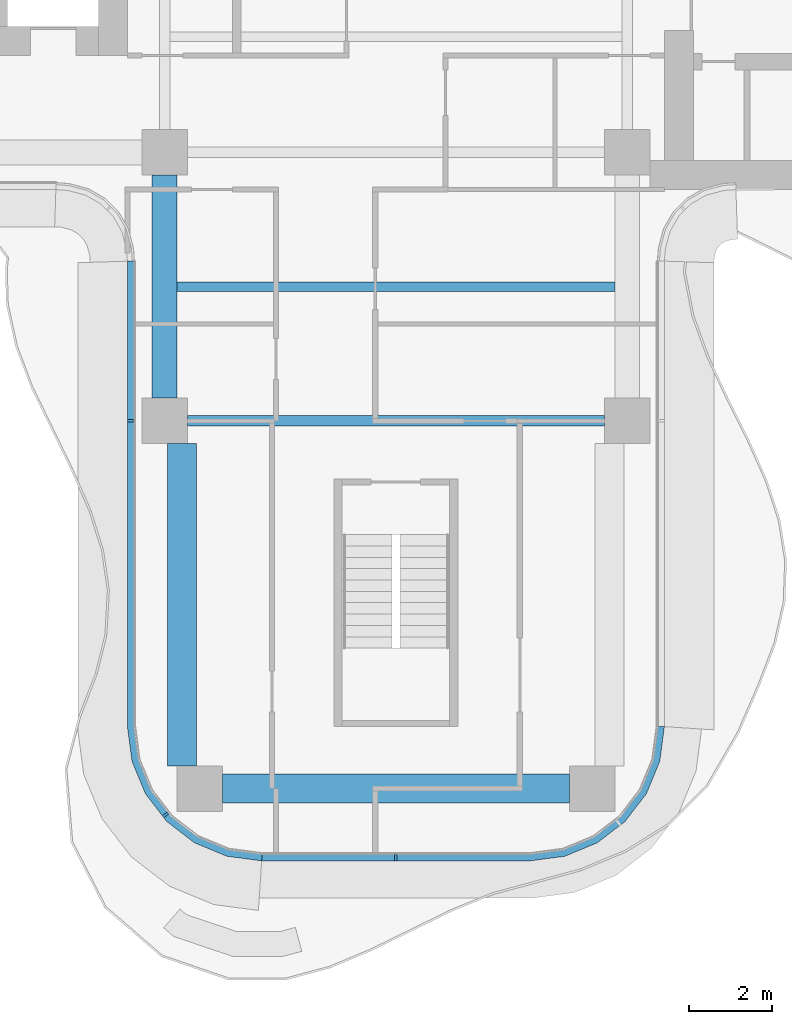
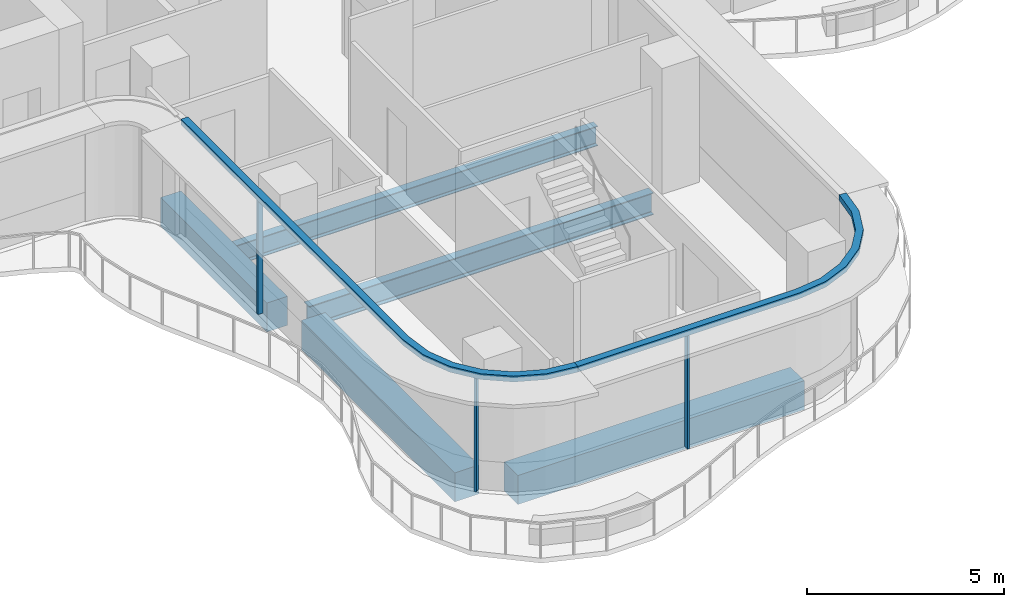
# One storey, part 2 of 16: 5 beams, 5 members, 2 elements without a shape of their own.
"""IFC4 building model written with IfcOpenShell, lengths in metres."""

from ifc_helpers import new_model, si_unit, direction, frame, origin, origin_2d, place, context, subcontext, project, spatial, polyline, rectangle, i_section, outline, extrude, source, transform, mapped, material, layer, layer_set, material_profile, profile_set, type_object, element, aggregate, save


model = new_model("IFC4")

# Units and contexts
model_context = context("Model", 3, precision=1e-05, world=origin(), true_north=direction((0.0, 1.0)))
body_context = subcontext(model_context, "Body", "Model", "MODEL_VIEW")
ifc_project = project(units=[si_unit("LENGTHUNIT", "METRE"), si_unit("AREAUNIT", "SQUARE_METRE"), si_unit("VOLUMEUNIT", "CUBIC_METRE"), si_unit("PLANEANGLEUNIT", "RADIAN"), si_unit("MASSUNIT", "GRAM", prefix="KILO")], contexts=[model_context])

# Site, building, storey
site_placement = place(None, origin())
site = spatial("IfcSite", under=ifc_project, at=site_placement, CompositionType="ELEMENT")
building_placement = place(site_placement, origin())
building = spatial("IfcBuilding", under=site, at=building_placement, Name="Trellis Farm Tower", CompositionType="ELEMENT")
storey_placement = place(building_placement, frame((0.0, 0.0, 255.800048828125)))
storey = spatial("IfcBuildingStorey", under=building, at=storey_placement, Name="L57", CompositionType="ELEMENT", Elevation=255.800048828125)

# Beams
ifc_material_1 = material(Name="Steel S355", Category="steel")
ifc_material_profile_1 = material_profile(ifc_material_1, i_section(OverallWidth=0.22900390625, OverallDepth=0.6123046875, WebThickness=0.011962890625, FlangeThickness=0.01953125, FilletRadius=0.0126953125, at=origin_2d()), Name="UB 610x229x125")
ifc_profile_set_1 = profile_set([ifc_material_profile_1], Name="Steel S355")
beam_type_1 = type_object("IfcBeamType", Name="UB 610x229x125 joist", PredefinedType="JOIST", material=ifc_profile_set_1)
shared_shape_1 = source(origin(), body_context, "Body", "SweptSolid", [
    extrude(i_section(OverallWidth=0.22900390625, OverallDepth=0.6123046875, WebThickness=0.011962890625, FlangeThickness=0.01953125, FilletRadius=0.0126953125, at=origin_2d()), origin(), (0.0, 0.0, 1.0), 10.60009765625),
])
beam_1_placement = place(storey_placement, frame((-5.300048828125, -8.85009765625, -0.506103515625), z_axis=(1.0, 0.0, 0.0), x_axis=(0.0, 1.0, 0.0)))
element("IfcBeam", 1, at=beam_1_placement, inside=storey, type_object=beam_type_1, Name="Floor beam", PredefinedType="JOIST", context=body_context, shape_type="MappedRepresentation", body=[
    mapped(shared_shape_1, transform((0.0, 0.0, 0.0))),
])
ifc_material_profile_2 = material_profile(ifc_material_1, i_section(OverallWidth=0.253662109375, OverallDepth=0.68359375, WebThickness=0.012451171875, FlangeThickness=0.021728515625, FilletRadius=0.01513671875, at=origin_2d()), Name="UB 686x254x140")
ifc_profile_set_2 = profile_set([ifc_material_profile_2], Name="Steel S355")
beam_type_2 = type_object("IfcBeamType", Name="UB 686x254x140", PredefinedType="BEAM", material=ifc_profile_set_2)
shared_shape_2 = source(origin(), body_context, "Body", "SweptSolid", [
    extrude(i_section(OverallWidth=0.253662109375, OverallDepth=0.68359375, WebThickness=0.012451171875, FlangeThickness=0.021728515625, FilletRadius=0.01513671875, at=origin_2d()), origin(), (0.0, 0.0, 1.0), 10.10009765625),
])
beam_2_placement = place(storey_placement, frame((-5.050048828125, -12.10009765625, -0.541748046875), z_axis=(1.0, 0.0, 0.0), x_axis=(0.0, 1.0, 0.0)))
element("IfcBeam", 2, at=beam_2_placement, inside=storey, type_object=beam_type_2, Name="Girder", PredefinedType="BEAM", context=body_context, shape_type="MappedRepresentation", body=[
    mapped(shared_shape_2, transform((0.0, 0.0, 0.0))),
])
ifc_material_2 = material(Name="Concrete C60/75", Category="concrete")
ifc_material_profile_3 = material_profile(ifc_material_2, rectangle(XDim=0.60009765625, YDim=0.89990234375, at=origin_2d()), Name="RC spandrel beam 600x900 C60/75")
ifc_profile_set_3 = profile_set([ifc_material_profile_3], Name="Concrete C60/75")
beam_type_3 = type_object("IfcBeamType", Name="RC spandrel beam 600x900 C60/75", PredefinedType="SPANDREL", material=ifc_profile_set_3)
shared_shape_3 = source(origin(), body_context, "Body", "SweptSolid", [
    extrude(rectangle(XDim=0.60009765625, YDim=0.89990234375, at=origin_2d()), origin(), (0.0, 0.0, 1.0), 5.400146484375),
])
beam_3_placement = place(storey_placement, frame((-5.60009765625, -11.550048828125, -0.650146484375), z_axis=(0.0, 1.0, 0.0), x_axis=(-1.0, 0.0, 0.0)))
element("IfcBeam", 3, at=beam_3_placement, inside=storey, type_object=beam_type_3, Name="Girder", PredefinedType="SPANDREL", context=body_context, shape_type="MappedRepresentation", body=[
    mapped(shared_shape_3, transform((0.0, 0.0, 0.0))),
])
ifc_material_profile_4 = material_profile(ifc_material_2, rectangle(XDim=0.699951171875, YDim=0.89990234375, at=origin_2d()), Name="RC spandrel beam 700x900 C60/75")
ifc_profile_set_4 = profile_set([ifc_material_profile_4], Name="Concrete C60/75")
beam_type_4 = type_object("IfcBeamType", Name="RC spandrel beam 700x900 C60/75", PredefinedType="SPANDREL", material=ifc_profile_set_4)
shared_shape_4 = source(origin(), body_context, "Body", "SweptSolid", [
    extrude(rectangle(XDim=0.699951171875, YDim=0.89990234375, at=origin_2d()), origin(), (0.0, 0.0, 1.0), 8.39990234375),
])
beam_4_placement = place(storey_placement, frame((-4.199951171875, -21.0, -0.650146484375), z_axis=(1.0, 0.0, 0.0), x_axis=(0.0, 1.0, 0.0)))
element("IfcBeam", 4, at=beam_4_placement, inside=storey, type_object=beam_type_4, Name="Girder", PredefinedType="SPANDREL", context=body_context, shape_type="MappedRepresentation", body=[
    mapped(shared_shape_4, transform((0.0, 0.0, 0.0))),
])
shared_shape_5 = source(origin(), body_context, "Body", "SweptSolid", [
    extrude(rectangle(XDim=0.699951171875, YDim=0.89990234375, at=origin_2d()), origin(), (0.0, 0.0, 1.0), 7.800048828125),
])
beam_5_placement = place(storey_placement, frame((-5.175048828125, -20.449951171875, -0.650146484375), z_axis=(0.0, 1.0, 0.0), x_axis=(-1.0, 0.0, 0.0)))
element("IfcBeam", 5, at=beam_5_placement, inside=storey, type_object=beam_type_4, Name="Girder", PredefinedType="SPANDREL", context=body_context, shape_type="MappedRepresentation", body=[
    mapped(shared_shape_5, transform((0.0, 0.0, 0.0))),
])

# Curtain wall, members
ifc_material_3 = material(Name="Aluminium and glass curtain wall", Category="aluminium")
ifc_layer_1 = layer(ifc_material_3, 0.18994140625)
ifc_layer_set_1 = layer_set([ifc_layer_1], Name="RIBBON CURTAIN WALL CW1")
curtain_wall_type = type_object("IfcCurtainWallType", Name="RIBBON CURTAIN WALL CW1", PredefinedType="NOTDEFINED", material=ifc_layer_set_1)
placement_1 = place(storey_placement, origin())
curtain_wall_1 = element("IfcCurtainWall", 6, at=placement_1, inside=storey, type_object=curtain_wall_type, Name="CW1 002", PredefinedType="NOTDEFINED")
ifc_material_4 = material(Name="Aluminium extrusion 6063-T6", Category="aluminium")
ifc_material_profile_5 = material_profile(ifc_material_4, rectangle(XDim=0.06005859375, YDim=0.14990234375, at=origin_2d()), Name="MULLION 60x150")
ifc_profile_set_5 = profile_set([ifc_material_profile_5], Name="Aluminium extrusion 6063-T6")
member_type_1 = type_object("IfcMemberType", Name="CW1 MULLION 60x150", PredefinedType="MULLION", material=ifc_profile_set_5)
shared_shape_6 = source(origin(), body_context, "Body", "SweptSolid", [
    extrude(rectangle(XDim=0.06005859375, YDim=0.14990234375, at=origin_2d()), origin(), (0.0, 0.0, 1.0), 3.52001953125),
])
member_1_placement = place(storey_placement, frame((-6.425048828125, -12.10009765625, 0.0), z_axis=(0.0, 0.0, 1.0), x_axis=(0.0, -1.0, 0.0)))
member_1 = element("IfcMember", 7, at=member_1_placement, type_object=member_type_1, Name="MU1 002-01", PredefinedType="MULLION", context=body_context, shape_type="MappedRepresentation", body=[
    mapped(shared_shape_6, transform((0.0, 0.0, 0.0))),
])
member_2_placement = place(storey_placement, frame((-5.578369140625, -21.635498046875, 0.0), z_axis=(0.0, 0.0, 1.0), x_axis=(0.608761429009, -0.793353340291, 0.0)))
member_2 = element("IfcMember", 8, at=member_2_placement, type_object=member_type_1, Name="MU1 002-02", PredefinedType="MULLION", context=body_context, shape_type="MappedRepresentation", body=[
    mapped(shared_shape_6, transform((0.0, 0.0, 0.0))),
])

# Curtain wall, member
curtain_wall_2 = element("IfcCurtainWall", 9, at=placement_1, inside=storey, type_object=curtain_wall_type, Name="CW1 003", PredefinedType="NOTDEFINED")
member_3_placement = place(storey_placement, frame((0.0, -22.675048828125, 0.0), z_axis=(0.0, 0.0, 1.0), x_axis=(1.0, 0.0, 0.0)))
member_3 = element("IfcMember", 10, at=member_3_placement, type_object=member_type_1, Name="MU1 003-01", PredefinedType="MULLION", context=body_context, shape_type="MappedRepresentation", body=[
    mapped(shared_shape_6, transform((0.0, 0.0, 0.0))),
])

# Member
ifc_layer_2 = layer(ifc_material_4, 0.199951171875)
ifc_layer_set_2 = layer_set([ifc_layer_2], Name="Aluminium extrusion 6063-T6")
member_type_2 = type_object("IfcMemberType", Name="CW1 TRANSOM 200x180", PredefinedType="USERDEFINED", material=ifc_layer_set_2)
shared_shape_7 = source(origin(), body_context, "Body", "SweptSolid", [
    extrude(outline(polyline([(-6.5, -8.2314453125), (-6.5, -19.5), (-6.38916015625, -20.341064453125), (-6.064697265625, -21.125), (-5.548095703125, -21.798095703125), (-4.875, -22.314697265625), (-4.091064453125, -22.63916015625), (-3.25, -22.75), (-3.23681640625, -22.550048828125), (-4.0390625, -22.4443359375), (-4.774169921875, -22.139892578125), (-5.405517578125, -21.655517578125), (-5.889892578125, -21.024169921875), (-6.1943359375, -20.2890625), (-6.300048828125, -19.48681640625), (-6.300048828125, -8.224853515625), (-6.5, -8.2314453125)])), origin(), (0.0, 0.0, 1.0), 0.179931640625),
])
placement_2 = place(storey_placement, frame((0.0, 0.0, 3.52001953125)))
member_4 = element("IfcMember", 11, at=placement_2, type_object=member_type_2, Name="TR1 002", ObjectType="TRANSOM", PredefinedType="USERDEFINED", context=body_context, shape_type="MappedRepresentation", body=[
    mapped(shared_shape_7, transform((0.0, 0.0, 0.0))),
])

aggregate(curtain_wall_1, [member_1, member_2, member_4])

shared_shape_8 = source(origin(), body_context, "Body", "SweptSolid", [
    extrude(outline(polyline([(-3.25, -22.75), (3.25, -22.75), (4.091064453125, -22.63916015625), (4.875, -22.314697265625), (5.548095703125, -21.798095703125), (6.064697265625, -21.125), (6.38916015625, -20.341064453125), (6.5, -19.5), (6.300048828125, -19.48681640625), (6.1943359375, -20.2890625), (5.889892578125, -21.024169921875), (5.405517578125, -21.655517578125), (4.774169921875, -22.139892578125), (4.0390625, -22.4443359375), (3.23681640625, -22.550048828125), (-3.23681640625, -22.550048828125), (-3.25, -22.75)])), origin(), (0.0, 0.0, 1.0), 0.179931640625),
])
member_5 = element("IfcMember", 12, at=placement_2, type_object=member_type_2, Name="TR1 003", ObjectType="TRANSOM", PredefinedType="USERDEFINED", context=body_context, shape_type="MappedRepresentation", body=[
    mapped(shared_shape_8, transform((0.0, 0.0, 0.0))),
])

aggregate(curtain_wall_2, [member_3, member_5])

save(model, "model.ifc")
